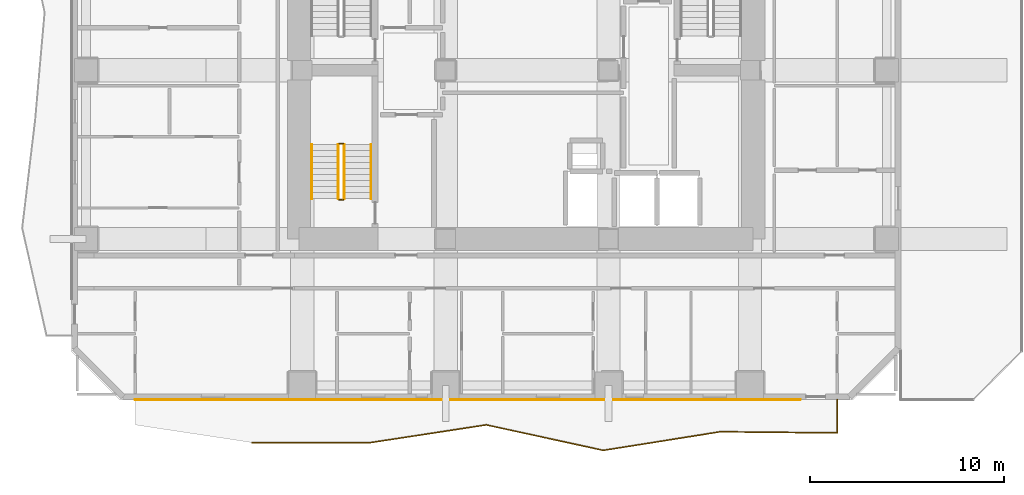
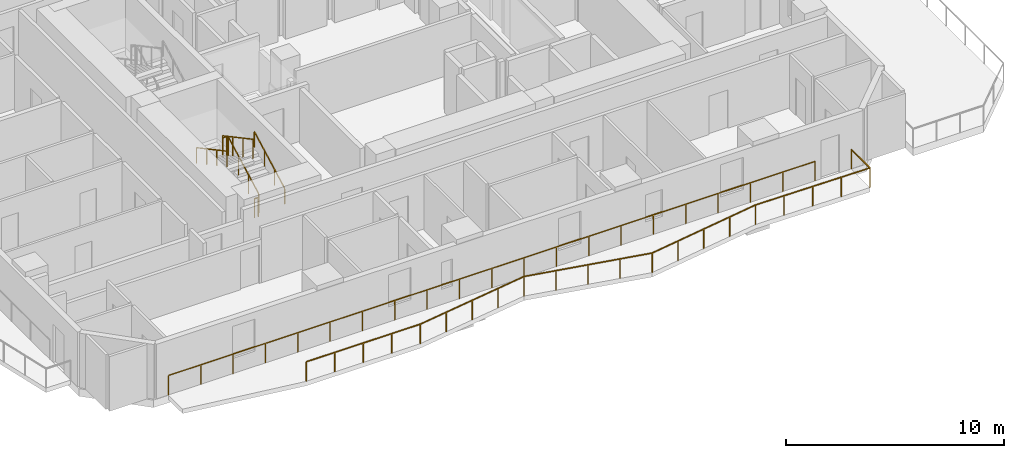
# One storey, part 9 of 12: 8 railings.
"""IFC4 building model written with IfcOpenShell, lengths in metres."""

from ifc_helpers import new_model, si_unit, direction, frame, origin, origin_2d, place, context, subcontext, project, spatial, rectangle, extrude, material, type_object, element, save


model = new_model("IFC4")

# Units and contexts
model_context = context("Model", 3, precision=1e-05, world=origin(), true_north=direction((0.0, 1.0)))
body_context = subcontext(model_context, "Body", "Model", "MODEL_VIEW")
ifc_project = project(units=[si_unit("LENGTHUNIT", "METRE"), si_unit("AREAUNIT", "SQUARE_METRE"), si_unit("VOLUMEUNIT", "CUBIC_METRE"), si_unit("PLANEANGLEUNIT", "RADIAN"), si_unit("MASSUNIT", "GRAM", prefix="KILO")], contexts=[model_context])

# Site, building, storey
site_placement = place(None, origin())
site = spatial("IfcSite", under=ifc_project, at=site_placement, CompositionType="ELEMENT")
building_placement = place(site_placement, origin())
building = spatial("IfcBuilding", under=site, at=building_placement, Name="Solanera Arch Residences", CompositionType="ELEMENT")
storey_placement = place(building_placement, frame((0.0, 0.0, 81.760009765625)))
storey = spatial("IfcBuildingStorey", under=building, at=storey_placement, Name="L23", CompositionType="ELEMENT", Elevation=81.760009765625)

# Railings
ifc_material_1 = material(Name="Steel S355 (ASTM A992 / A572 Grade 50)", Category="steel")
railing_type_1 = type_object("IfcRailingType", Name="Balustrade Railing BL-1100", PredefinedType="BALUSTRADE", material=ifc_material_1)
railing_1_placement = place(storey_placement, frame((10.8330078125, 11.4970703125, 0.0)))
element("IfcRailing", 1, at=railing_1_placement, inside=storey, type_object=railing_type_1, Name="L23 S Balcony Balustrade 1", PredefinedType="BALUSTRADE", context=body_context, shape_type="SweptSolid", body=[
    extrude(rectangle(XDim=0.048095703125, YDim=0.048095703125, at=origin_2d()), frame((0.0, 0.0, 1.09619140625), z_axis=(0.999998879398, -0.001497064881, 0.0), x_axis=(0.001497064881, 0.999998879398, 0.0)), (0.0, 0.0, 1.0), 6.033935546875),
    extrude(rectangle(XDim=0.048095703125, YDim=0.048095703125, at=origin_2d()), frame((6.033935546875, -0.009033203125, 1.09619140625), z_axis=(0.988471832469, 0.1514048758, 0.0), x_axis=(-0.1514048758, 0.988471832469, 0.0)), (0.0, 0.0, 1.0), 6.103271484375),
    extrude(rectangle(XDim=0.048095703125, YDim=0.048095703125, at=origin_2d()), frame((12.06689453125, 0.9150390625, 1.09619140625), z_axis=(0.977054521841, -0.212989345628, 0.0), x_axis=(0.212989345628, 0.977054521841, 0.0)), (0.0, 0.0, 1.0), 6.1748046875),
    extrude(rectangle(XDim=0.048095703125, YDim=0.048095703125, at=origin_2d()), frame((18.10009765625, -0.400146484375, 1.09619140625), z_axis=(0.987579883594, 0.157117705939, 0.0), x_axis=(-0.157117705939, 0.987579883594, 0.0)), (0.0, 0.0, 1.0), 6.10986328125),
    extrude(rectangle(XDim=0.048095703125, YDim=0.048095703125, at=origin_2d()), frame((24.134033203125, 0.559814453125, 1.09619140625), z_axis=(0.999950853849, -0.00991412566, 0.0), x_axis=(0.00991412566, 0.999950853849, 0.0)), (0.0, 0.0, 1.0), 6.033203125),
    extrude(rectangle(XDim=0.048095703125, YDim=0.048095703125, at=origin_2d()), frame((30.1669921875, 0.5, 1.09619140625), z_axis=(0.0, 1.0, 0.0), x_axis=(-1.0, 0.0, 0.0)), (0.0, 0.0, 1.0), 1.722900390625),
    extrude(rectangle(XDim=0.0419921875, YDim=0.0419921875, at=origin_2d()), origin(), (0.0, 0.0, 1.0), 1.072021484375),
    extrude(rectangle(XDim=0.0419921875, YDim=0.0419921875, at=origin_2d()), frame((1.508544921875, -0.002197265625, 0.0)), (0.0, 0.0, 1.0), 1.072021484375),
    extrude(rectangle(XDim=0.0419921875, YDim=0.0419921875, at=origin_2d()), frame((3.01708984375, -0.00439453125, 0.0)), (0.0, 0.0, 1.0), 1.072021484375),
    extrude(rectangle(XDim=0.0419921875, YDim=0.0419921875, at=origin_2d()), frame((4.525390625, -0.0068359375, 0.0)), (0.0, 0.0, 1.0), 1.072021484375),
    extrude(rectangle(XDim=0.0419921875, YDim=0.0419921875, at=origin_2d()), frame((6.033935546875, -0.009033203125, 0.0)), (0.0, 0.0, 1.0), 1.072021484375),
    extrude(rectangle(XDim=0.0419921875, YDim=0.0419921875, at=origin_2d()), frame((7.542236328125, 0.221923828125, 0.0)), (0.0, 0.0, 1.0), 1.072021484375),
    extrude(rectangle(XDim=0.0419921875, YDim=0.0419921875, at=origin_2d()), frame((9.05029296875, 0.453125, 0.0)), (0.0, 0.0, 1.0), 1.072021484375),
    extrude(rectangle(XDim=0.0419921875, YDim=0.0419921875, at=origin_2d()), frame((10.55859375, 0.68408203125, 0.0)), (0.0, 0.0, 1.0), 1.072021484375),
    extrude(rectangle(XDim=0.0419921875, YDim=0.0419921875, at=origin_2d()), frame((12.06689453125, 0.9150390625, 0.0)), (0.0, 0.0, 1.0), 1.072021484375),
    extrude(rectangle(XDim=0.0419921875, YDim=0.0419921875, at=origin_2d()), frame((13.5751953125, 0.586181640625, 0.0)), (0.0, 0.0, 1.0), 1.072021484375),
    extrude(rectangle(XDim=0.0419921875, YDim=0.0419921875, at=origin_2d()), frame((15.08349609375, 0.25732421875, 0.0)), (0.0, 0.0, 1.0), 1.072021484375),
    extrude(rectangle(XDim=0.0419921875, YDim=0.0419921875, at=origin_2d()), frame((16.591796875, -0.0712890625, 0.0)), (0.0, 0.0, 1.0), 1.072021484375),
    extrude(rectangle(XDim=0.0419921875, YDim=0.0419921875, at=origin_2d()), frame((18.10009765625, -0.400146484375, 0.0)), (0.0, 0.0, 1.0), 1.072021484375),
    extrude(rectangle(XDim=0.0419921875, YDim=0.0419921875, at=origin_2d()), frame((19.608642578125, -0.16015625, 0.0)), (0.0, 0.0, 1.0), 1.072021484375),
    extrude(rectangle(XDim=0.0419921875, YDim=0.0419921875, at=origin_2d()), frame((21.1171875, 0.079833984375, 0.0)), (0.0, 0.0, 1.0), 1.072021484375),
    extrude(rectangle(XDim=0.0419921875, YDim=0.0419921875, at=origin_2d()), frame((22.62548828125, 0.31982421875, 0.0)), (0.0, 0.0, 1.0), 1.072021484375),
    extrude(rectangle(XDim=0.0419921875, YDim=0.0419921875, at=origin_2d()), frame((24.134033203125, 0.559814453125, 0.0)), (0.0, 0.0, 1.0), 1.072021484375),
    extrude(rectangle(XDim=0.0419921875, YDim=0.0419921875, at=origin_2d()), frame((25.642333984375, 0.544921875, 0.0)), (0.0, 0.0, 1.0), 1.072021484375),
    extrude(rectangle(XDim=0.0419921875, YDim=0.0419921875, at=origin_2d()), frame((27.150390625, 0.52978515625, 0.0)), (0.0, 0.0, 1.0), 1.072021484375),
    extrude(rectangle(XDim=0.0419921875, YDim=0.0419921875, at=origin_2d()), frame((28.65869140625, 0.514892578125, 0.0)), (0.0, 0.0, 1.0), 1.072021484375),
    extrude(rectangle(XDim=0.0419921875, YDim=0.0419921875, at=origin_2d()), frame((30.1669921875, 0.5, 0.0)), (0.0, 0.0, 1.0), 1.072021484375),
    extrude(rectangle(XDim=0.0419921875, YDim=0.0419921875, at=origin_2d()), frame((30.1669921875, 2.222900390625, 0.0)), (0.0, 0.0, 1.0), 1.072021484375),
])
railing_2_placement = place(storey_placement, frame((39.083984375, 13.719970703125, 0.0)))
element("IfcRailing", 2, at=railing_2_placement, inside=storey, type_object=railing_type_1, Name="L23 S Balcony Balustrade 2", PredefinedType="BALUSTRADE", context=body_context, shape_type="SweptSolid", body=[
    extrude(rectangle(XDim=0.048095703125, YDim=0.048095703125, at=origin_2d()), frame((0.0, 0.0, 1.09619140625), z_axis=(-1.0, 0.0, 0.0), x_axis=(0.0, -1.0, 0.0)), (0.0, 0.0, 1.0), 34.283935546875),
    extrude(rectangle(XDim=0.0419921875, YDim=0.0419921875, at=origin_2d()), origin(), (0.0, 0.0, 1.0), 1.072021484375),
    extrude(rectangle(XDim=0.0419921875, YDim=0.0419921875, at=origin_2d()), frame((-1.714111328125, 0.0, 0.0)), (0.0, 0.0, 1.0), 1.072021484375),
    extrude(rectangle(XDim=0.0419921875, YDim=0.0419921875, at=origin_2d()), frame((-3.428466796875, 0.0, 0.0)), (0.0, 0.0, 1.0), 1.072021484375),
    extrude(rectangle(XDim=0.0419921875, YDim=0.0419921875, at=origin_2d()), frame((-5.142578125, 0.0, 0.0)), (0.0, 0.0, 1.0), 1.072021484375),
    extrude(rectangle(XDim=0.0419921875, YDim=0.0419921875, at=origin_2d()), frame((-6.856689453125, 0.0, 0.0)), (0.0, 0.0, 1.0), 1.072021484375),
    extrude(rectangle(XDim=0.0419921875, YDim=0.0419921875, at=origin_2d()), frame((-8.571044921875, 0.0, 0.0)), (0.0, 0.0, 1.0), 1.072021484375),
    extrude(rectangle(XDim=0.0419921875, YDim=0.0419921875, at=origin_2d()), frame((-10.28515625, 0.0, 0.0)), (0.0, 0.0, 1.0), 1.072021484375),
    extrude(rectangle(XDim=0.0419921875, YDim=0.0419921875, at=origin_2d()), frame((-11.999267578125, 0.0, 0.0)), (0.0, 0.0, 1.0), 1.072021484375),
    extrude(rectangle(XDim=0.0419921875, YDim=0.0419921875, at=origin_2d()), frame((-13.713623046875, 0.0, 0.0)), (0.0, 0.0, 1.0), 1.072021484375),
    extrude(rectangle(XDim=0.0419921875, YDim=0.0419921875, at=origin_2d()), frame((-15.427734375, 0.0, 0.0)), (0.0, 0.0, 1.0), 1.072021484375),
    extrude(rectangle(XDim=0.0419921875, YDim=0.0419921875, at=origin_2d()), frame((-17.14208984375, 0.0, 0.0)), (0.0, 0.0, 1.0), 1.072021484375),
    extrude(rectangle(XDim=0.0419921875, YDim=0.0419921875, at=origin_2d()), frame((-18.856201171875, 0.0, 0.0)), (0.0, 0.0, 1.0), 1.072021484375),
    extrude(rectangle(XDim=0.0419921875, YDim=0.0419921875, at=origin_2d()), frame((-20.5703125, 0.0, 0.0)), (0.0, 0.0, 1.0), 1.072021484375),
    extrude(rectangle(XDim=0.0419921875, YDim=0.0419921875, at=origin_2d()), frame((-22.28466796875, 0.0, 0.0)), (0.0, 0.0, 1.0), 1.072021484375),
    extrude(rectangle(XDim=0.0419921875, YDim=0.0419921875, at=origin_2d()), frame((-23.998779296875, 0.0, 0.0)), (0.0, 0.0, 1.0), 1.072021484375),
    extrude(rectangle(XDim=0.0419921875, YDim=0.0419921875, at=origin_2d()), frame((-25.712890625, 0.0, 0.0)), (0.0, 0.0, 1.0), 1.072021484375),
    extrude(rectangle(XDim=0.0419921875, YDim=0.0419921875, at=origin_2d()), frame((-27.42724609375, 0.0, 0.0)), (0.0, 0.0, 1.0), 1.072021484375),
    extrude(rectangle(XDim=0.0419921875, YDim=0.0419921875, at=origin_2d()), frame((-29.141357421875, 0.0, 0.0)), (0.0, 0.0, 1.0), 1.072021484375),
    extrude(rectangle(XDim=0.0419921875, YDim=0.0419921875, at=origin_2d()), frame((-30.85546875, 0.0, 0.0)), (0.0, 0.0, 1.0), 1.072021484375),
    extrude(rectangle(XDim=0.0419921875, YDim=0.0419921875, at=origin_2d()), frame((-32.56982421875, 0.0, 0.0)), (0.0, 0.0, 1.0), 1.072021484375),
    extrude(rectangle(XDim=0.0419921875, YDim=0.0419921875, at=origin_2d()), frame((-34.283935546875, 0.0, 0.0)), (0.0, 0.0, 1.0), 1.072021484375),
])
ifc_material_2 = material(Name="Steel S355 (ASTM A992 / A572 Grade 50)", Category="steel")
railing_type_2 = type_object("IfcRailingType", Name="Stair Guardrail GR-1100", PredefinedType="GUARDRAIL", material=ifc_material_2)
railing_3_placement = place(storey_placement, frame((15.570068359375, 24.080078125, 0.15087890625)))
element("IfcRailing", 3, at=railing_3_placement, inside=storey, type_object=railing_type_2, Name="L23 ST-T3 stair guard 1", PredefinedType="GUARDRAIL", context=body_context, shape_type="SweptSolid", body=[
    extrude(rectangle(XDim=0.048095703125, YDim=0.048095703125, at=origin_2d()), frame((0.0, 0.0, 1.076171875), z_axis=(0.0, 0.881548766853, 0.472092969298), x_axis=(-1.0, 0.0, 0.0)), (0.0, 0.0, 1.0), 3.1650390625),
    extrude(rectangle(XDim=0.0419921875, YDim=0.0419921875, at=origin_2d()), origin(), (0.0, 0.0, 1.0), 1.052001953125),
    extrude(rectangle(XDim=0.0419921875, YDim=0.0419921875, at=origin_2d()), frame((0.0, 0.929931640625, 0.498046875)), (0.0, 0.0, 1.0), 1.052001953125),
    extrude(rectangle(XDim=0.0419921875, YDim=0.0419921875, at=origin_2d()), frame((0.0, 1.860107421875, 0.99609375)), (0.0, 0.0, 1.0), 1.052001953125),
    extrude(rectangle(XDim=0.0419921875, YDim=0.0419921875, at=origin_2d()), frame((0.0, 2.7900390625, 1.494140625)), (0.0, 0.0, 1.0), 1.052001953125),
])
railing_4_placement = place(storey_placement, frame((15.52001953125, 26.919921875, 1.64501953125)))
element("IfcRailing", 4, at=railing_4_placement, inside=storey, type_object=railing_type_2, Name="L23 ST-T3 stair guard 2", PredefinedType="GUARDRAIL", context=body_context, shape_type="SweptSolid", body=[
    extrude(rectangle(XDim=0.048095703125, YDim=0.048095703125, at=origin_2d()), frame((0.0, 0.0, 1.076171875), z_axis=(-1.0, 0.0, 0.0), x_axis=(0.0, -1.0, 0.0)), (0.0, 0.0, 1.0), 0.199951171875),
    extrude(rectangle(XDim=0.0419921875, YDim=0.0419921875, at=origin_2d()), origin(), (0.0, 0.0, 1.0), 1.052001953125),
    extrude(rectangle(XDim=0.0419921875, YDim=0.0419921875, at=origin_2d()), frame((-0.199951171875, 0.0, 0.0)), (0.0, 0.0, 1.0), 1.052001953125),
])
railing_5_placement = place(storey_placement, frame((15.27001953125, 26.8701171875, 1.81103515625)))
element("IfcRailing", 5, at=railing_5_placement, inside=storey, type_object=railing_type_2, Name="L23 ST-T3 stair guard 3", PredefinedType="GUARDRAIL", context=body_context, shape_type="SweptSolid", body=[
    extrude(rectangle(XDim=0.048095703125, YDim=0.048095703125, at=origin_2d()), frame((0.0, 0.0, 1.076171875), z_axis=(0.0, -0.881580869306, 0.472033018838), x_axis=(1.0, 0.0, 0.0)), (0.0, 0.0, 1.0), 3.164794921875),
    extrude(rectangle(XDim=0.0419921875, YDim=0.0419921875, at=origin_2d()), origin(), (0.0, 0.0, 1.0), 1.052001953125),
    extrude(rectangle(XDim=0.0419921875, YDim=0.0419921875, at=origin_2d()), frame((0.0, -0.929931640625, 0.498046875)), (0.0, 0.0, 1.0), 1.052001953125),
    extrude(rectangle(XDim=0.0419921875, YDim=0.0419921875, at=origin_2d()), frame((0.0, -1.860107421875, 0.995849609375)), (0.0, 0.0, 1.0), 1.052001953125),
    extrude(rectangle(XDim=0.0419921875, YDim=0.0419921875, at=origin_2d()), frame((0.0, -2.7900390625, 1.493896484375)), (0.0, 0.0, 1.0), 1.052001953125),
])
railing_6_placement = place(storey_placement, frame((15.52001953125, 24.030029296875, -0.014892578125)))
element("IfcRailing", 6, at=railing_6_placement, inside=storey, type_object=railing_type_2, Name="L23 ST-T3 stair guard 4", PredefinedType="GUARDRAIL", context=body_context, shape_type="SweptSolid", body=[
    extrude(rectangle(XDim=0.048095703125, YDim=0.048095703125, at=origin_2d()), frame((0.0, 0.0, 1.076171875), z_axis=(-1.0, 0.0, 0.0), x_axis=(0.0, -1.0, 0.0)), (0.0, 0.0, 1.0), 0.199951171875),
    extrude(rectangle(XDim=0.0419921875, YDim=0.0419921875, at=origin_2d()), origin(), (0.0, 0.0, 1.0), 1.052001953125),
    extrude(rectangle(XDim=0.0419921875, YDim=0.0419921875, at=origin_2d()), frame((-0.199951171875, 0.0, 0.0)), (0.0, 0.0, 1.0), 1.052001953125),
])
ifc_material_3 = material(Name="Steel S355 (ASTM A992 / A572 Grade 50)", Category="steel")
railing_type_3 = type_object("IfcRailingType", Name="Stair Wall Handrail HR-920", PredefinedType="HANDRAIL", material=ifc_material_3)
railing_7_placement = place(storey_placement, frame((16.949951171875, 24.080078125, 0.166015625)))
element("IfcRailing", 7, at=railing_7_placement, inside=storey, type_object=railing_type_3, Name="L23 ST-T3 stair handrail 1", PredefinedType="HANDRAIL", context=body_context, shape_type="SweptSolid", body=[
    extrude(rectangle(XDim=0.048095703125, YDim=0.048095703125, at=origin_2d()), frame((0.0, 0.0, 0.8759765625), z_axis=(0.0, 0.881580869306, 0.472033018838), x_axis=(-1.0, 0.0, 0.0)), (0.0, 0.0, 1.0), 3.164794921875),
    extrude(rectangle(XDim=0.0419921875, YDim=0.0419921875, at=origin_2d()), origin(), (0.0, 0.0, 1.0), 0.851806640625),
    extrude(rectangle(XDim=0.0419921875, YDim=0.0419921875, at=origin_2d()), frame((0.0, 0.929931640625, 0.498046875)), (0.0, 0.0, 1.0), 0.851806640625),
    extrude(rectangle(XDim=0.0419921875, YDim=0.0419921875, at=origin_2d()), frame((0.0, 1.860107421875, 0.995849609375)), (0.0, 0.0, 1.0), 0.851806640625),
    extrude(rectangle(XDim=0.0419921875, YDim=0.0419921875, at=origin_2d()), frame((0.0, 2.7900390625, 1.493896484375)), (0.0, 0.0, 1.0), 0.851806640625),
])
railing_8_placement = place(storey_placement, frame((13.889892578125, 26.8701171875, 1.825927734375)))
element("IfcRailing", 8, at=railing_8_placement, inside=storey, type_object=railing_type_3, Name="L23 ST-T3 stair handrail 2", PredefinedType="HANDRAIL", context=body_context, shape_type="SweptSolid", body=[
    extrude(rectangle(XDim=0.048095703125, YDim=0.048095703125, at=origin_2d()), frame((0.0, 0.0, 0.8759765625), z_axis=(0.0, -0.881548766853, 0.472092969298), x_axis=(1.0, 0.0, 0.0)), (0.0, 0.0, 1.0), 3.1650390625),
    extrude(rectangle(XDim=0.0419921875, YDim=0.0419921875, at=origin_2d()), origin(), (0.0, 0.0, 1.0), 0.851806640625),
    extrude(rectangle(XDim=0.0419921875, YDim=0.0419921875, at=origin_2d()), frame((0.0, -0.929931640625, 0.498046875)), (0.0, 0.0, 1.0), 0.851806640625),
    extrude(rectangle(XDim=0.0419921875, YDim=0.0419921875, at=origin_2d()), frame((0.0, -1.860107421875, 0.99609375)), (0.0, 0.0, 1.0), 0.851806640625),
    extrude(rectangle(XDim=0.0419921875, YDim=0.0419921875, at=origin_2d()), frame((0.0, -2.7900390625, 1.494140625)), (0.0, 0.0, 1.0), 0.851806640625),
])

save(model, "model.ifc")
